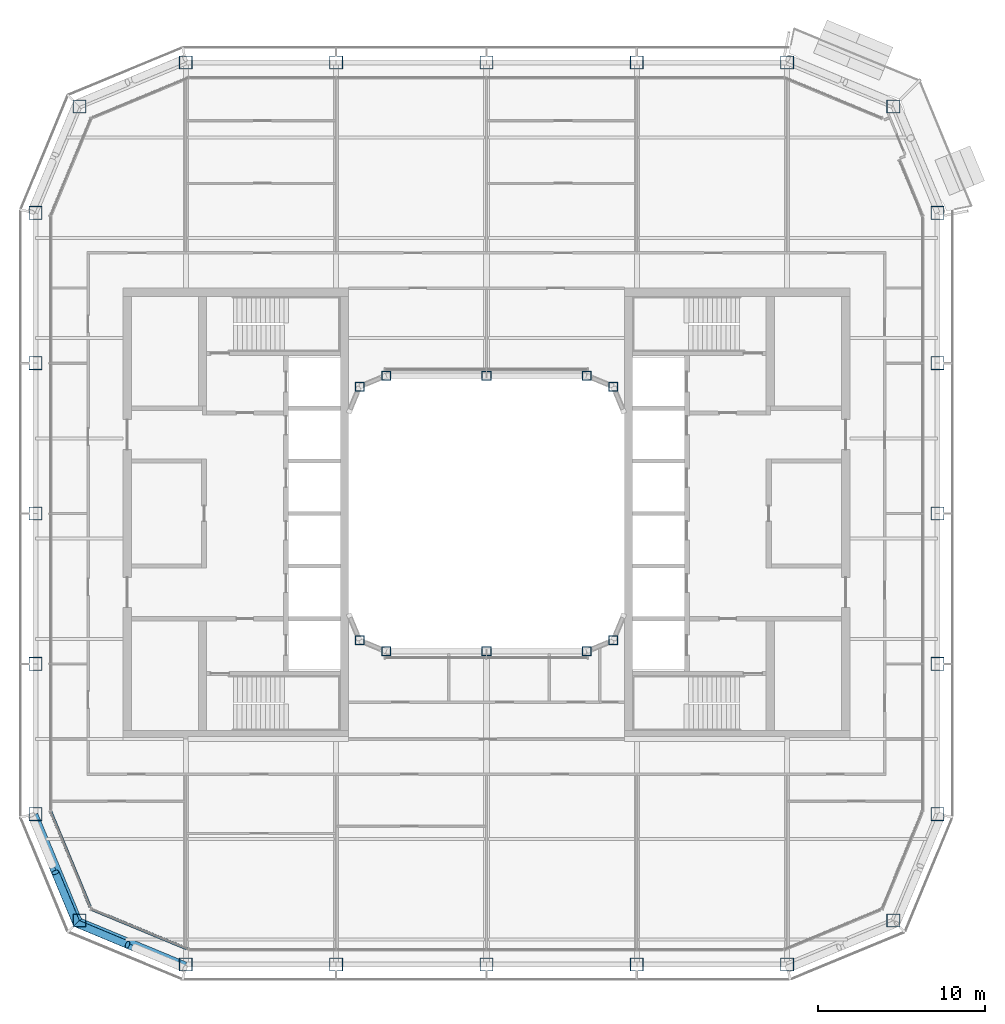
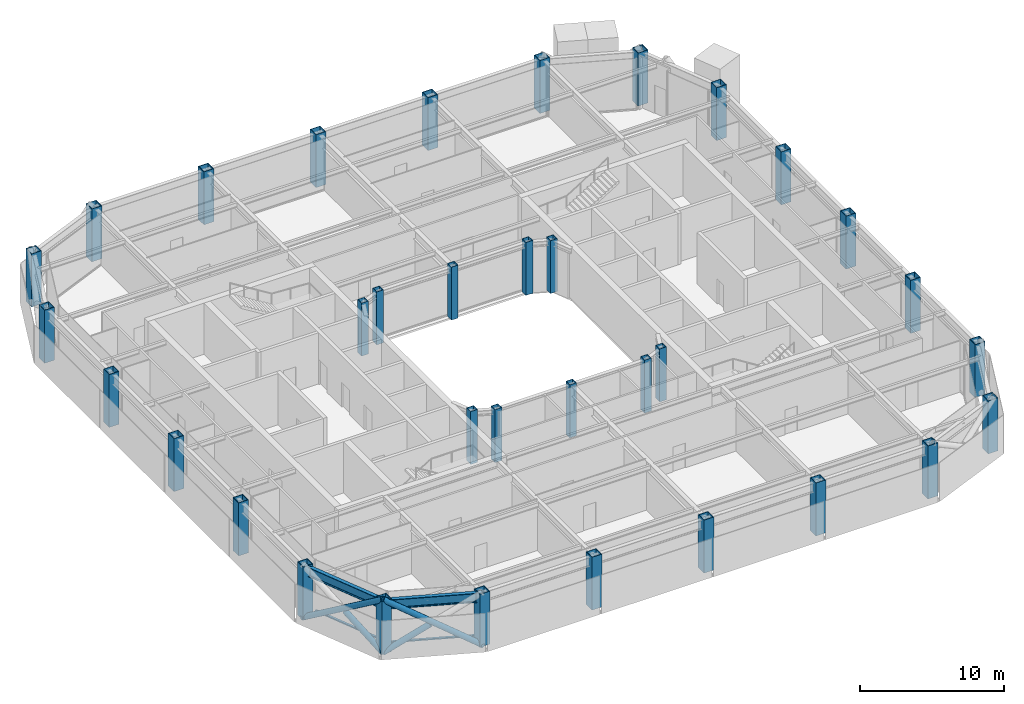
# One storey, part 1 of 23: 34 columns, 6 members, 2 beams, 2 elements without a shape of their own.
"""IFC4 building model written with IfcOpenShell, lengths in metres."""

import ifcopenshell
import ifcopenshell.guid

model = None  # the IFC model being written
_history = None  # IfcOwnerHistory: only IFC2X3 demands one
_inside = {}  # id of a spatial element -> (the spatial element, [elements in it])
_under = {}  # id of a project, library or spatial element -> (it, [spatial elements below it])
_declared = {}  # id of a project -> (the project, [libraries it declares])
_typed = {}  # id of a type object -> (the type object, [elements of that type])
_made_of = {}  # id of a material, layer set ... -> (it, [elements and type objects made of it])


def new_model(schema):
    """Start an empty IFC model of exactly this schema.

    Asked for "IFC4X3", IfcOpenShell would pick the latest addendum, in which some entities
    have other attributes; the version numbers below select the first issue.
    IFC2X3 requires an IfcOwnerHistory on every rooted entity: one is made here for all.
    """
    global model, _history
    if schema == "IFC4X3":
        model = ifcopenshell.file(schema_version=(4, 3, 0, 0))
    else:
        model = ifcopenshell.file(schema=schema)
    _inside.clear()
    _under.clear()
    _declared.clear()
    _typed.clear()
    _made_of.clear()
    _history = None
    if model.schema == "IFC2X3":
        org = make("IfcOrganization", Name="unknown")
        user = make(
            "IfcPersonAndOrganization",
            ThePerson=make("IfcPerson", FamilyName="unknown"),
            TheOrganization=org,
        )
        app = make(
            "IfcApplication",
            ApplicationDeveloper=org,
            Version="unknown",
            ApplicationFullName="unknown",
            ApplicationIdentifier="unknown",
        )
        _history = make(
            "IfcOwnerHistory",
            OwningUser=user,
            OwningApplication=app,
            ChangeAction="ADDED",
            CreationDate=0,
        )
    return model


def make(cls, **values):
    """One entity of the class cls with the attributes given. An attribute that is None is left unset."""
    return model.create_entity(
        cls, **{name: value for name, value in values.items() if value is not None}
    )


def rooted(cls, **values):
    """An entity with a GlobalId (a new one), such as an element, a storey or a relation."""
    return make(cls, GlobalId=ifcopenshell.guid.new(), OwnerHistory=_history, **values)


def si_unit(unit_type, name, prefix=None):
    """IfcSIUnit, for example si_unit("LENGTHUNIT", "METRE", prefix="MILLI")."""
    return make("IfcSIUnit", UnitType=unit_type, Prefix=prefix, Name=name)


def assignment(units):
    """IfcUnitAssignment: the units of a project."""
    return None if units is None else make("IfcUnitAssignment", Units=units)


def point(xyz):
    """IfcCartesianPoint."""
    return None if xyz is None else make("IfcCartesianPoint", Coordinates=xyz)


def direction(xyz):
    """IfcDirection."""
    return None if xyz is None else make("IfcDirection", DirectionRatios=xyz)


def frame(location, z_axis=None, x_axis=None):
    """IfcAxis2Placement3D, a coordinate frame: its origin and axes. An axis left out is left unset."""
    return make(
        "IfcAxis2Placement3D",
        Location=point(location),
        Axis=direction(z_axis),
        RefDirection=direction(x_axis),
    )


def frame_2d(location, x_axis=None):
    """IfcAxis2Placement2D, a coordinate frame in the plane: its origin and x axis."""
    return make(
        "IfcAxis2Placement2D", Location=point(location), RefDirection=direction(x_axis)
    )


def origin():
    """The frame at (0, 0, 0) with its axes left unset."""
    return frame((0.0, 0.0, 0.0))


def origin_2d():
    """The frame at (0, 0) in the plane with its x axis left unset."""
    return frame_2d((0.0, 0.0))


def place(relative_to, where):
    """IfcLocalPlacement: puts the frame where relative to a parent placement (None: the world)."""
    return make(
        "IfcLocalPlacement", PlacementRelTo=relative_to, RelativePlacement=where
    )


def context(
    kind, dimensions, precision=None, world=None, true_north=None, identifier=None
):
    """IfcGeometricRepresentationContext, for example the 3D "Model" context."""
    return make(
        "IfcGeometricRepresentationContext",
        ContextIdentifier=identifier,
        ContextType=kind,
        CoordinateSpaceDimension=dimensions,
        Precision=precision,
        WorldCoordinateSystem=world,
        TrueNorth=true_north,
    )


def subcontext(parent, identifier, kind, view, scale=None):
    """IfcGeometricRepresentationSubContext, for example "Body" below "Model"."""
    return make(
        "IfcGeometricRepresentationSubContext",
        ContextIdentifier=identifier,
        ContextType=kind,
        ParentContext=parent,
        TargetScale=scale,
        TargetView=view,
    )


def project(units=None, contexts=None):
    """IfcProject with its units and contexts."""
    return rooted(
        "IfcProject",
        Name="project",
        RepresentationContexts=contexts,
        UnitsInContext=assignment(units),
    )


def spatial(cls, under=None, at=None, **own):
    """A site, building, storey or space (cls), placed at a placement, below another one or the project."""
    s = rooted(cls, ObjectPlacement=at, **own)
    if under is not None:
        _under.setdefault(under.id(), (under, []))[1].append(s)
    return s


def profile(cls, at=None, kind="AREA", **sizes):
    """A parametric profile (cls). Its sizes go by their IFC names, for example OverallWidth=200.0."""
    return make(cls, ProfileType=kind, Position=at, **sizes)


def rectangle(**sizes):
    """IfcRectangleProfileDef."""
    return profile("IfcRectangleProfileDef", **sizes)


def hollow_rectangle(**sizes):
    """IfcRectangleHollowProfileDef."""
    return profile("IfcRectangleHollowProfileDef", **sizes)


def hollow_circle(**sizes):
    """IfcCircleHollowProfileDef."""
    return profile("IfcCircleHollowProfileDef", **sizes)


def i_section(**sizes):
    """IfcIShapeProfileDef."""
    return profile("IfcIShapeProfileDef", **sizes)


def extrude(swept, where, along, depth):
    """IfcExtrudedAreaSolid: the profile swept, set in the frame where, extruded along a direction by depth."""
    return make(
        "IfcExtrudedAreaSolid",
        SweptArea=swept,
        Position=where,
        ExtrudedDirection=direction(along),
        Depth=depth,
    )


def shape(context_of_items, identifier, shape_type, items):
    """IfcShapeRepresentation: the items that make up one representation, for example the "Body"."""
    return make(
        "IfcShapeRepresentation",
        ContextOfItems=context_of_items,
        RepresentationIdentifier=identifier,
        RepresentationType=shape_type,
        Items=items,
    )


def material(Name=None, Category=None):
    """IfcMaterial."""
    return make("IfcMaterial", Name=Name, Category=Category)


def layer(
    of_material, thickness, ventilated=None, Name=None, Category=None, Priority=None
):
    """IfcMaterialLayer: one layer of a wall or slab, of a material (None: an air gap)."""
    return make(
        "IfcMaterialLayer",
        Material=of_material,
        LayerThickness=thickness,
        IsVentilated=ventilated,
        Name=Name,
        Category=Category,
        Priority=Priority,
    )


def layer_set(layers, Name=None):
    """IfcMaterialLayerSet."""
    return make("IfcMaterialLayerSet", MaterialLayers=layers, LayerSetName=Name)


def material_profile(
    of_material, cross_section, Name=None, Category=None, Priority=None
):
    """IfcMaterialProfile: a cross section and its material."""
    return make(
        "IfcMaterialProfile",
        Name=Name,
        Material=of_material,
        Profile=cross_section,
        Priority=Priority,
        Category=Category,
    )


def profile_set(profiles, Name=None, composite=None):
    """IfcMaterialProfileSet."""
    return make(
        "IfcMaterialProfileSet",
        Name=Name,
        MaterialProfiles=profiles,
        CompositeProfile=composite,
    )


def made_of(thing, what):
    """Note that an element or type object is made of a material, layer set ...; save() writes the relation."""
    if what is not None:
        _made_of.setdefault(what.id(), (what, []))[1].append(thing)
    return thing


def type_object(cls, material=None, **own):
    """A type object (cls), such as IfcWallType, which elements share."""
    return made_of(rooted(cls, **own), material)


def element(
    cls,
    number,
    at=None,
    inside=None,
    cuts=None,
    type_object=None,
    material=None,
    context=None,
    identifier="Body",
    shape_type=None,
    held_by="IfcProductDefinitionShape",
    body=None,
    shapes=None,
    **own,
):
    """One element of the class cls, such as IfcWall. Its Tag is "e" and its number.

    at: its placement. inside: the storey or other place that contains it. cuts: it is an
    opening in that element (IfcRelVoidsElement). A single representation is given by context,
    identifier, shape_type and body (its items); several are given by shapes. held_by: the class
    of the entity that holds the representations. save() writes the other relations.
    """
    e = rooted(cls, Tag="e%d" % number, ObjectPlacement=at, **own)
    if body is not None:
        shapes = [shape(context, identifier, shape_type, body)]
    if shapes is not None:
        e.Representation = make(held_by, Representations=shapes)
    if inside is not None:
        _inside.setdefault(inside.id(), (inside, []))[1].append(e)
    if cuts is not None:
        rooted(
            "IfcRelVoidsElement", RelatingBuildingElement=cuts, RelatedOpeningElement=e
        )
    if type_object is not None:
        _typed.setdefault(type_object.id(), (type_object, []))[1].append(e)
    return made_of(e, material)


def aggregate(whole, parts):
    """IfcRelAggregates: a whole, such as a stair, and the parts it consists of."""
    return rooted("IfcRelAggregates", RelatingObject=whole, RelatedObjects=parts)


def save(model, path):
    """Write the relations noted so far, then the file.

    IfcRelAggregates (storeys below a building ...), IfcRelContainedInSpatialStructure (elements
    in a storey), IfcRelDefinesByType, IfcRelAssociatesMaterial and IfcRelDeclares: one each for
    every whole, place, type object, material and project.
    """
    for whole, parts in _under.values():
        aggregate(whole, parts)
    for where, things in _inside.values():
        rooted(
            "IfcRelContainedInSpatialStructure",
            RelatedElements=things,
            RelatingStructure=where,
        )
    for kind, things in _typed.values():
        rooted("IfcRelDefinesByType", RelatedObjects=things, RelatingType=kind)
    for what, things in _made_of.values():
        rooted("IfcRelAssociatesMaterial", RelatedObjects=things, RelatingMaterial=what)
    for by, libraries in _declared.values():
        rooted("IfcRelDeclares", RelatingContext=by, RelatedDefinitions=libraries)
    model.write(path)


model = new_model("IFC4")

# Units and contexts
model_context = context("Model", 3, precision=1e-05, world=origin(), true_north=direction((0.0, 1.0)))
body_context = subcontext(model_context, "Body", "Model", "MODEL_VIEW")
ifc_project = project(units=[si_unit("LENGTHUNIT", "METRE"), si_unit("AREAUNIT", "SQUARE_METRE"), si_unit("VOLUMEUNIT", "CUBIC_METRE"), si_unit("PLANEANGLEUNIT", "RADIAN"), si_unit("MASSUNIT", "GRAM", prefix="KILO")], contexts=[model_context])

# Site, building, storey
site_placement = place(None, origin())
site = spatial("IfcSite", under=ifc_project, at=site_placement, CompositionType="ELEMENT")
building_placement = place(site_placement, origin())
building = spatial("IfcBuilding", under=site, at=building_placement, Name="Siwar Civic Tower", CompositionType="ELEMENT")
storey_placement = place(building_placement, frame((0.0, 0.0, 242.199951171875)))
storey = spatial("IfcBuildingStorey", under=building, at=storey_placement, Name="L52", CompositionType="ELEMENT", Elevation=242.199951171875)

# Columns
ifc_material_1 = material(Name="Steel S355", Category="steel")
ifc_material_profile_1 = material_profile(ifc_material_1, hollow_rectangle(XDim=0.800048828125, YDim=0.800048828125, WallThickness=0.044921875, at=origin_2d()), Name="BOX800x800x45")
ifc_profile_set_1 = profile_set([ifc_material_profile_1], Name="Steel S355")
column_type_1 = type_object("IfcColumnType", Name="STR-COL-BOX800x800x45", PredefinedType="COLUMN", material=ifc_profile_set_1)
for number, where, z_axis, x_axis, name in (
    (1, (-18.0, -27.0, 0.0), (0.0, 0.0, 1.0), (1.0, 0.0, 0.0), "L52/col/S-0"),
    (2, (-9.0, -27.0, 0.0), (0.0, 0.0, 1.0), (1.0, 0.0, 0.0), "L52/col/S-1"),
    (3, (0.0, -27.0, 0.0), (0.0, 0.0, 1.0), (1.0, 0.0, 0.0), "L52/col/S-2"),
    (4, (9.0, -27.0, 0.0), (0.0, 0.0, 1.0), (1.0, 0.0, 0.0), "L52/col/S-3"),
    (5, (18.0, -27.0, 0.0), (0.0, 0.0, 1.0), (1.0, 0.0, 0.0), "L52/col/SE1-0"),
    (6, (24.364013671875, -24.364013671875, 0.0), (0.0, 0.0, 1.0), (1.0, 0.0, 0.0), "L52/col/SE2-0"),
    (7, (27.0, -18.0, 0.0), (0.0, 0.0, 1.0), (1.0, 0.0, 0.0), "L52/col/E-0"),
    (8, (27.0, -9.0, 0.0), (0.0, 0.0, 1.0), (1.0, 0.0, 0.0), "L52/col/E-1"),
    (9, (27.0, 0.0, 0.0), (0.0, 0.0, 1.0), (1.0, 0.0, 0.0), "L52/col/E-2"),
    (10, (27.0, 9.0, 0.0), (0.0, 0.0, 1.0), (1.0, 0.0, 0.0), "L52/col/E-3"),
    (11, (27.0, 18.0, 0.0), (0.0, 0.0, 1.0), (1.0, 0.0, 0.0), "L52/col/NE1-0"),
    (12, (24.364013671875, 24.364013671875, 0.0), (0.0, 0.0, 1.0), (1.0, 0.0, 0.0), "L52/col/NE2-0"),
    (13, (18.0, 27.0, 0.0), (0.0, 0.0, 1.0), (1.0, 0.0, 0.0), "L52/col/N-0"),
    (14, (9.0, 27.0, 0.0), (0.0, 0.0, 1.0), (1.0, 0.0, 0.0), "L52/col/N-1"),
    (15, (0.0, 27.0, 0.0), (0.0, 0.0, 1.0), (1.0, 0.0, 0.0), "L52/col/N-2"),
    (16, (-9.0, 27.0, 0.0), (0.0, 0.0, 1.0), (1.0, 0.0, 0.0), "L52/col/N-3"),
    (17, (-18.0, 27.0, 0.0), (0.0, 0.0, 1.0), (1.0, 0.0, 0.0), "L52/col/NW1-0"),
    (18, (-24.364013671875, 24.364013671875, 0.0), (0.0, 0.0, 1.0), (1.0, 0.0, 0.0), "L52/col/NW2-0"),
    (19, (-27.0, 18.0, 0.0), (0.0, 0.0, 1.0), (1.0, 0.0, 0.0), "L52/col/W-0"),
    (20, (-27.0, 9.0, 0.0), (0.0, 0.0, 1.0), (1.0, 0.0, 0.0), "L52/col/W-1"),
    (21, (-27.0, 0.0, 0.0), (0.0, 0.0, 1.0), (1.0, 0.0, 0.0), "L52/col/W-2"),
    (22, (-27.0, -9.0, 0.0), (0.0, 0.0, 1.0), (1.0, 0.0, 0.0), "L52/col/W-3"),
    (23, (-27.0, -18.0, 0.0), (0.0, 0.0, 1.0), (1.0, 0.0, 0.0), "L52/col/SW1-0"),
    (24, (-24.364013671875, -24.364013671875, 0.0), (0.0, 0.0, 1.0), (1.0, 0.0, 0.0), "L52/col/SW2-0"),
):
    element("IfcColumn", number, at=place(storey_placement, frame(where, z_axis=z_axis, x_axis=x_axis)), inside=storey, type_object=column_type_1, Name=name, PredefinedType="COLUMN", context=body_context, shape_type="SweptSolid", body=[
        extrude(hollow_rectangle(XDim=0.800048828125, YDim=0.800048828125, WallThickness=0.044921875, at=origin_2d()), origin(), (0.0, 0.0, 1.0), 4.5),
    ])
ifc_material_2 = material(Name="Steel S355", Category="steel")
ifc_material_profile_2 = material_profile(ifc_material_2, hollow_rectangle(XDim=0.550048828125, YDim=0.550048828125, WallThickness=0.028076171875, at=origin_2d()), Name="BOX550x550x28")
ifc_profile_set_2 = profile_set([ifc_material_profile_2], Name="Steel S355")
column_type_2 = type_object("IfcColumnType", Name="STR-ICOL-BOX550x550x28", PredefinedType="COLUMN", material=ifc_profile_set_2)
for number, where, z_axis, x_axis, name in (
    (25, (-7.591064453125, -7.591064453125, 0.0), (0.0, 0.0, 1.0), (1.0, 0.0, 0.0), "L52/col/IS-0"),
    (26, (-6.0, -8.25, 0.0), (0.0, 0.0, 1.0), (1.0, 0.0, 0.0), "L52/col/IS-1"),
    (27, (0.0, -8.25, 0.0), (0.0, 0.0, 1.0), (1.0, 0.0, 0.0), "L52/col/IS-2"),
    (28, (6.0, -8.25, 0.0), (0.0, 0.0, 1.0), (1.0, 0.0, 0.0), "L52/col/IS-3"),
    (29, (7.591064453125, -7.591064453125, 0.0), (0.0, 0.0, 1.0), (1.0, 0.0, 0.0), "L52/col/IS-4"),
    (30, (-7.591064453125, 7.591064453125, 0.0), (0.0, 0.0, 1.0), (1.0, 0.0, 0.0), "L52/col/IN-0"),
    (31, (-6.0, 8.25, 0.0), (0.0, 0.0, 1.0), (1.0, 0.0, 0.0), "L52/col/IN-1"),
    (32, (0.0, 8.25, 0.0), (0.0, 0.0, 1.0), (1.0, 0.0, 0.0), "L52/col/IN-2"),
    (33, (6.0, 8.25, 0.0), (0.0, 0.0, 1.0), (1.0, 0.0, 0.0), "L52/col/IN-3"),
    (34, (7.591064453125, 7.591064453125, 0.0), (0.0, 0.0, 1.0), (1.0, 0.0, 0.0), "L52/col/IN-4"),
):
    element("IfcColumn", number, at=place(storey_placement, frame(where, z_axis=z_axis, x_axis=x_axis)), inside=storey, type_object=column_type_2, Name=name, PredefinedType="COLUMN", context=body_context, shape_type="SweptSolid", body=[
        extrude(hollow_rectangle(XDim=0.550048828125, YDim=0.550048828125, WallThickness=0.028076171875, at=origin_2d()), origin(), (0.0, 0.0, 1.0), 4.5),
    ])

# Curtain wall, member
ifc_material_3 = material(Name="Aluminium clad insulated panel", Category="aluminium")
ifc_layer = layer(ifc_material_3, 0.179931640625)
ifc_layer_set = layer_set([ifc_layer], Name="Aluminium clad insulated panel")
curtain_wall_type = type_object("IfcCurtainWallType", Name="ENV-CW-CX", PredefinedType="NOTDEFINED", material=ifc_layer_set)
curtain_wall_1_placement = place(storey_placement, origin())
curtain_wall_1 = element("IfcCurtainWall", 35, at=curtain_wall_1_placement, inside=storey, type_object=curtain_wall_type, Name="Curtain wall C SW1", PredefinedType="NOTDEFINED")
ifc_material_4 = material(Name="Aluminium 6063-T6", Category="aluminium")
ifc_material_profile_3 = material_profile(ifc_material_4, rectangle(XDim=0.179931640625, YDim=0.10009765625, at=origin_2d()), Name="AL 180x100")
ifc_profile_set_3 = profile_set([ifc_material_profile_3], Name="Aluminium 6063-T6")
member_type_1 = type_object("IfcMemberType", Name="ENV-TRANSOM-C", PredefinedType="USERDEFINED", material=ifc_profile_set_3)
member_1_placement = place(storey_placement, frame((-26.088623046875, -17.8486328125, 0.050048828125), z_axis=(0.38267744817, -0.923882011223, 0.0), x_axis=(0.923882011223, 0.38267744817, 0.0)))
member_1 = element("IfcMember", 36, at=member_1_placement, type_object=member_type_1, Name="Transom C SW1 1", ObjectType="TRANSOM", PredefinedType="USERDEFINED", context=body_context, shape_type="SweptSolid", body=[
    extrude(rectangle(XDim=0.179931640625, YDim=0.10009765625, at=origin_2d()), origin(), (0.0, 0.0, 1.0), 6.201904296875),
])
aggregate(curtain_wall_1, [member_1])

curtain_wall_2_placement = place(storey_placement, origin())
curtain_wall_2 = element("IfcCurtainWall", 37, at=curtain_wall_2_placement, inside=storey, type_object=curtain_wall_type, Name="Curtain wall C SW2", PredefinedType="NOTDEFINED")
member_2_placement = place(storey_placement, frame((-23.6474609375, -23.6865234375, 0.050048828125), z_axis=(0.923876246063, -0.382691366456, 0.0), x_axis=(0.382691366456, 0.923876246063, 0.0)))
member_2 = element("IfcMember", 38, at=member_2_placement, type_object=member_type_1, Name="Transom C SW2 1", ObjectType="TRANSOM", PredefinedType="USERDEFINED", context=body_context, shape_type="SweptSolid", body=[
    extrude(rectangle(XDim=0.179931640625, YDim=0.10009765625, at=origin_2d()), origin(), (0.0, 0.0, 1.0), 6.20166015625),
])
aggregate(curtain_wall_2, [member_2])

# Members
ifc_material_5 = material(Name="Steel S355", Category="steel")
ifc_material_profile_4 = material_profile(ifc_material_5, hollow_circle(Radius=0.228515625, WallThickness=0.02001953125, at=origin_2d()), Name="CHS457x20")
ifc_profile_set_4 = profile_set([ifc_material_profile_4], Name="Steel S355")
member_type_2 = type_object("IfcMemberType", Name="STR-BR-CHS457x20", PredefinedType="BRACE", material=ifc_profile_set_4)
member_3_placement = place(storey_placement, frame((-18.048828125, -27.2451171875, 0.0), z_axis=(-0.777554562952, 0.323905527954, 0.538975055633), x_axis=(-0.384538969033, -0.923108759191, 0.0)))
element("IfcMember", 39, at=member_3_placement, inside=storey, type_object=member_type_2, Name="L52/brc/CSW1-12-0-1", PredefinedType="BRACE", context=body_context, shape_type="SweptSolid", body=[
    extrude(hollow_circle(Radius=0.228515625, WallThickness=0.02001953125, at=origin_2d()), origin(), (0.0, 0.0, 1.0), 8.34912109375),
])
member_4_placement = place(storey_placement, frame((-24.540771484375, -24.540771484375, 0.0), z_axis=(0.777546448489, -0.323884455881, 0.538999424564), x_axis=(0.38452107079, 0.92311621485, 0.0)))
element("IfcMember", 40, at=member_4_placement, inside=storey, type_object=member_type_2, Name="L52/brc/CSW1-12-0-2", PredefinedType="BRACE", context=body_context, shape_type="SweptSolid", body=[
    extrude(hollow_circle(Radius=0.228515625, WallThickness=0.02001953125, at=origin_2d()), origin(), (0.0, 0.0, 1.0), 3.927978515625),
])
member_5_placement = place(storey_placement, frame((-27.2451171875, -18.048828125, 0.0), z_axis=(0.323905527954, -0.777554562952, 0.538975055633), x_axis=(0.923108759191, 0.384538969033, 0.0)))
element("IfcMember", 41, at=member_5_placement, inside=storey, type_object=member_type_2, Name="L52/brc/CSW1-12-0-0", PredefinedType="BRACE", context=body_context, shape_type="SweptSolid", body=[
    extrude(hollow_circle(Radius=0.228515625, WallThickness=0.02001953125, at=origin_2d()), origin(), (0.0, 0.0, 1.0), 8.34912109375),
])
member_6_placement = place(storey_placement, frame((-24.540771484375, -24.540771484375, 0.0), z_axis=(-0.323884455881, 0.777546448489, 0.538999424564), x_axis=(-0.92311621485, -0.38452107079, 0.0)))
element("IfcMember", 42, at=member_6_placement, inside=storey, type_object=member_type_2, Name="L52/brc/CSW1-12-0-4", PredefinedType="BRACE", context=body_context, shape_type="SweptSolid", body=[
    extrude(hollow_circle(Radius=0.228515625, WallThickness=0.02001953125, at=origin_2d()), origin(), (0.0, 0.0, 1.0), 3.927978515625),
])

# Beams
ifc_material_6 = material(Name="Steel S355", Category="steel")
ifc_material_profile_5 = material_profile(ifc_material_6, i_section(OverallWidth=0.300048828125, OverallDepth=0.800048828125, WebThickness=0.017578125, FlangeThickness=0.032958984375, FilletRadius=0.030029296875, at=origin_2d()), Name="HEB800")
ifc_profile_set_5 = profile_set([ifc_material_profile_5], Name="Steel S355")
beam_type = type_object("IfcBeamType", Name="STR-SB-HEB800", PredefinedType="BEAM", material=ifc_profile_set_5)
for number, where, z_axis, x_axis, name in (
    (43, (-27.0, -18.0, 3.949951171875), (0.382674207535, -0.923883353507, 0.0), (0.923883353507, 0.382674207535, 0.0), "L52/bm/SSW1-0"),
    (44, (-24.364013671875, -24.364013671875, 3.949951171875), (0.923883353507, -0.382674207535, 0.0), (0.382674207535, 0.923883353507, 0.0), "L52/bm/SSW2-0"),
):
    element("IfcBeam", number, at=place(storey_placement, frame(where, z_axis=z_axis, x_axis=x_axis)), inside=storey, type_object=beam_type, Name=name, PredefinedType="BEAM", context=body_context, shape_type="SweptSolid", body=[
        extrude(i_section(OverallWidth=0.300048828125, OverallDepth=0.800048828125, WebThickness=0.017578125, FlangeThickness=0.032958984375, FilletRadius=0.030029296875, at=origin_2d()), origin(), (0.0, 0.0, 1.0), 6.888427734375),
    ])

save(model, "model.ifc")
